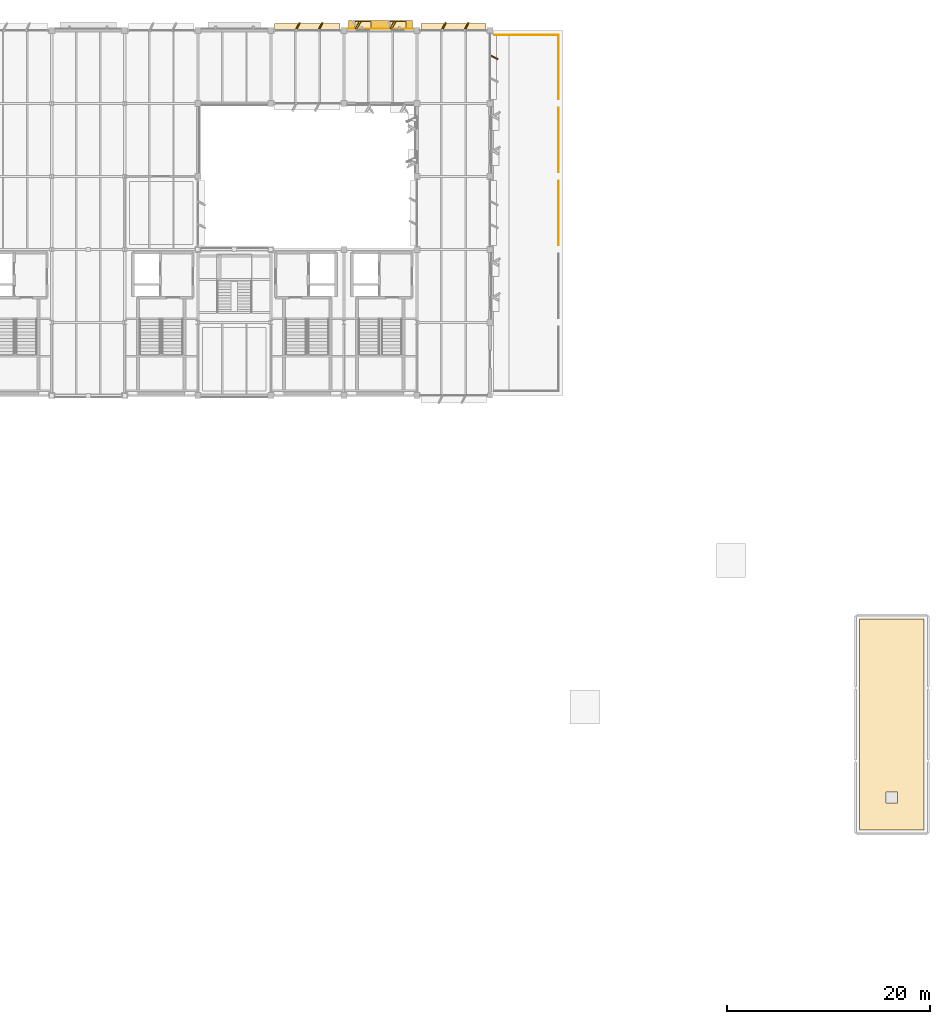
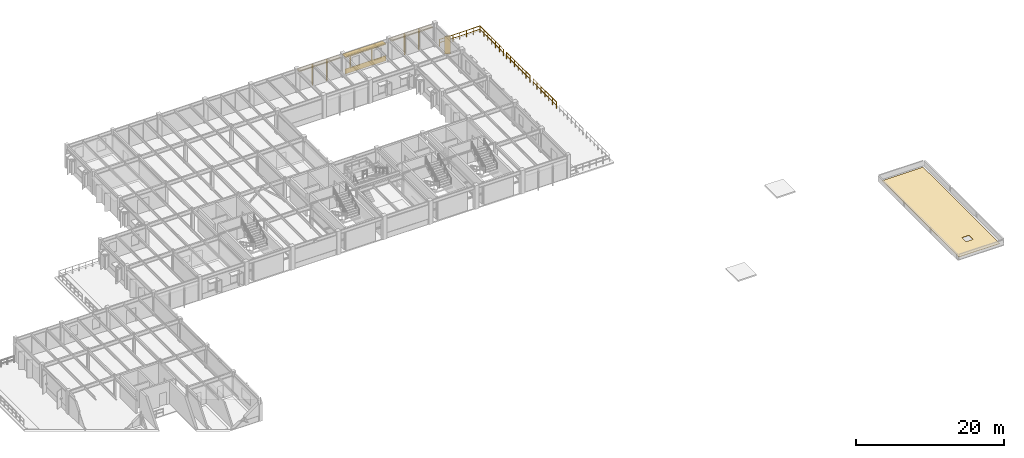
# One storey, part 35 of 35: 13 coverings, 4 railings, 1 shading device.
"""IFC4 building model written with IfcOpenShell, lengths in metres."""

from ifc_helpers import new_model, si_unit, direction, frame, frame_2d, origin, origin_2d, place, context, subcontext, project, spatial, polyline, rectangle, circle, outline, extrude, material, layer, layer_set, type_object, element, save


model = new_model("IFC4")

# Units and contexts
model_context = context("Model", 3, precision=1e-05, world=origin(), true_north=direction((0.0, 1.0)))
body_context = subcontext(model_context, "Body", "Model", "MODEL_VIEW")
ifc_project = project(units=[si_unit("LENGTHUNIT", "METRE"), si_unit("AREAUNIT", "SQUARE_METRE"), si_unit("VOLUMEUNIT", "CUBIC_METRE"), si_unit("PLANEANGLEUNIT", "RADIAN"), si_unit("MASSUNIT", "GRAM", prefix="KILO")], contexts=[model_context])

# Site, building, storey
site_placement = place(None, origin())
site = spatial("IfcSite", under=ifc_project, at=site_placement, CompositionType="ELEMENT")
building_placement = place(site_placement, origin())
building = spatial("IfcBuilding", under=site, at=building_placement, Name="Sillqori Civic Hall", CompositionType="ELEMENT")
storey_placement = place(building_placement, frame((0.0, 0.0, 18.0)))
storey = spatial("IfcBuildingStorey", under=building, at=storey_placement, Name="L05", CompositionType="ELEMENT", Elevation=18.0)

# Coverings
ifc_material_1 = material(Name="Cochabamba Honed Limestone Cladding", Category="masonry")
ifc_layer_1 = layer(ifc_material_1, 0.044921875)
ifc_layer_set_1 = layer_set([ifc_layer_1], Name="Cochabamba Honed Limestone Cladding")
covering_type_1 = type_object("IfcCoveringType", Name="COV-CLAD-LIME", PredefinedType="CLADDING", material=ifc_layer_set_1)
covering_1_placement = place(storey_placement, frame((79.580078125, 115.52001953125, 3.011962890625), z_axis=(0.0, 0.0, 1.0), x_axis=(1.0, 0.0, 0.0)))
element("IfcCovering", 1, at=covering_1_placement, inside=storey, type_object=covering_type_1, Name="L05 curtain-wall limestone solar hood L05-11-15-N", PredefinedType="CLADDING", context=body_context, shape_type="SweptSolid", body=[
    extrude(rectangle(XDim=6.43994140625, YDim=0.679931640625, at=frame_2d((3.219970703125, 0.0))), origin(), (0.0, 0.0, 1.0), 0.179931640625),
])
for number, where, z_axis, x_axis, name in (
    (2, (81.677978515625, 115.25, 0.06005859375), (0.0, 0.0, 1.0), (0.447334902547, 0.894366527193, 0.0), "L05 curtain-wall angled stone fin L05-11-15-N.1"),
    (3, (83.922119140625, 115.25, 0.06005859375), (0.0, 0.0, 1.0), (0.44709226377, 0.894487846579, 0.0), "L05 curtain-wall angled stone fin L05-11-15-N.2"),
):
    element("IfcCovering", number, at=place(storey_placement, frame(where, z_axis=z_axis, x_axis=x_axis)), inside=storey, type_object=covering_type_1, Name=name, PredefinedType="CLADDING", context=body_context, shape_type="SweptSolid", body=[
        extrude(rectangle(XDim=0.804931640625, YDim=0.139892578125, at=frame_2d((0.40234375, 0.0))), origin(), (0.0, 0.0, 1.0), 2.951904296875),
    ])
covering_2_placement = place(storey_placement, frame((86.780029296875, 115.360107421875, 0.0400390625), z_axis=(0.0, 0.0, 1.0), x_axis=(1.0, 0.0, 0.0)))
element("IfcCovering", 4, at=covering_2_placement, inside=storey, type_object=covering_type_1, Name="L05 limestone spandrel cladding L05-12-15-N", PredefinedType="CLADDING", context=body_context, shape_type="SweptSolid", body=[
    extrude(rectangle(XDim=6.43994140625, YDim=0.044921875, at=frame_2d((3.219970703125, 0.0))), origin(), (0.0, 0.0, 1.0), 0.85986328125),
])
covering_3_placement = place(storey_placement, frame((87.56396484375, 115.320068359375, 0.830078125), z_axis=(0.0, 0.0, 1.0), x_axis=(0.500062241894, 0.865989465428, 0.0)))
element("IfcCovering", 5, at=covering_3_placement, inside=storey, type_object=covering_type_1, Name="Sawtooth limestone angled reveal cheek L05-12-15-N.1", PredefinedType="CLADDING", context=body_context, shape_type="SweptSolid", body=[
    extrude(rectangle(XDim=0.85009765625, YDim=0.179931640625, at=frame_2d((0.425048828125, 0.0))), origin(), (0.0, 0.0, 1.0), 2.0),
])
covering_4_placement = place(storey_placement, frame((87.50390625, 115.699951171875, 2.68994140625), z_axis=(0.0, 0.0, 1.0), x_axis=(1.0, 0.0, 0.0)))
element("IfcCovering", 6, at=covering_4_placement, inside=storey, type_object=covering_type_1, Name="Sawtooth limestone window hood L05-12-15-N.1", PredefinedType="CLADDING", context=body_context, shape_type="SweptSolid", body=[
    extrude(rectangle(XDim=1.56005859375, YDim=0.780029296875, at=frame_2d((0.780029296875, 0.0))), origin(), (0.0, 0.0, 1.0), 0.14013671875),
])
covering_5_placement = place(storey_placement, frame((90.99609375, 115.320068359375, 0.830078125), z_axis=(0.0, 0.0, 1.0), x_axis=(0.499846793097, 0.866113839764, 0.0)))
element("IfcCovering", 7, at=covering_5_placement, inside=storey, type_object=covering_type_1, Name="Sawtooth limestone angled reveal cheek L05-12-15-N.2", PredefinedType="CLADDING", context=body_context, shape_type="SweptSolid", body=[
    extrude(rectangle(XDim=0.849853515625, YDim=0.179931640625, at=frame_2d((0.4248046875, 0.0))), origin(), (0.0, 0.0, 1.0), 2.0),
])
covering_6_placement = place(storey_placement, frame((90.93603515625, 115.699951171875, 2.68994140625), z_axis=(0.0, 0.0, 1.0), x_axis=(1.0, 0.0, 0.0)))
element("IfcCovering", 8, at=covering_6_placement, inside=storey, type_object=covering_type_1, Name="Sawtooth limestone window hood L05-12-15-N.2", PredefinedType="CLADDING", context=body_context, shape_type="SweptSolid", body=[
    extrude(rectangle(XDim=1.56005859375, YDim=0.780029296875, at=frame_2d((0.780029296875, 0.0))), origin(), (0.0, 0.0, 1.0), 0.14013671875),
])
covering_7_placement = place(storey_placement, frame((93.97998046875, 115.52001953125, 3.011962890625), z_axis=(0.0, 0.0, 1.0), x_axis=(1.0, 0.0, 0.0)))
element("IfcCovering", 9, at=covering_7_placement, inside=storey, type_object=covering_type_1, Name="L05 curtain-wall limestone solar hood L05-13-15-N", PredefinedType="CLADDING", context=body_context, shape_type="SweptSolid", body=[
    extrude(rectangle(XDim=6.43994140625, YDim=0.679931640625, at=frame_2d((3.219970703125, 0.0))), origin(), (0.0, 0.0, 1.0), 0.179931640625),
])
for number, where, z_axis, x_axis, name in (
    (10, (96.077880859375, 115.25, 0.06005859375), (0.0, 0.0, 1.0), (0.447334902547, 0.894366527193, 0.0), "L05 curtain-wall angled stone fin L05-13-15-N.1"),
    (11, (98.322021484375, 115.25, 0.06005859375), (0.0, 0.0, 1.0), (0.44709226377, 0.894487846579, 0.0), "L05 curtain-wall angled stone fin L05-13-15-N.2"),
    (12, (100.85009765625, 112.721923828125, 0.06005859375), (0.0, 0.0, 1.0), (0.894487846579, -0.44709226377, 0.0), "L05 curtain-wall angled stone fin L05-13-15-E.1"),
):
    element("IfcCovering", number, at=place(storey_placement, frame(where, z_axis=z_axis, x_axis=x_axis)), inside=storey, type_object=covering_type_1, Name=name, PredefinedType="CLADDING", context=body_context, shape_type="SweptSolid", body=[
        extrude(rectangle(XDim=0.804931640625, YDim=0.139892578125, at=frame_2d((0.40234375, 0.0))), origin(), (0.0, 0.0, 1.0), 2.951904296875),
    ])
ifc_material_2 = material(Name="Insulated Standing-Seam Solar Roof Membrane", Category="membrane")
ifc_layer_2 = layer(ifc_material_2, 0.054931640625)
ifc_layer_set_2 = layer_set([ifc_layer_2], Name="Insulated Standing-Seam Solar Roof Membrane")
covering_type_2 = type_object("IfcCoveringType", Name="COV-ROOF-TPO", PredefinedType="ROOFING", material=ifc_layer_set_2)
covering_8_placement = place(storey_placement, origin())
element("IfcCovering", 13, at=covering_8_placement, inside=storey, type_object=covering_type_2, Name="L05 insulated TPO roof membrane ROOF-FLAT-L04-1", PredefinedType="ROOFING", context=body_context, shape_type="SweptSolid", body=[
    extrude(outline(polyline([(137.199951171875, 36.39990234375), (143.60009765625, 36.39990234375), (143.60009765625, 57.199951171875), (137.199951171875, 57.199951171875), (137.199951171875, 36.39990234375)]), holes=[polyline([(139.85009765625, 39.050048828125), (139.85009765625, 40.14990234375), (140.949951171875, 40.14990234375), (140.949951171875, 39.050048828125), (139.85009765625, 39.050048828125)])]), origin(), (0.0, 0.0, 1.0), 0.054931640625),
])

# Railings
ifc_material_3 = material(Name="Stainless Steel 316 and Laminated Balustrade", Category="steel")
ifc_layer_3 = layer(ifc_material_3, 0.06005859375)
ifc_layer_set_3 = layer_set([ifc_layer_3], Name="Stainless Steel 316 and Laminated Balustrade")
railing_type = type_object("IfcRailingType", Name="RLG-TERR-112", PredefinedType="GUARDRAIL", material=ifc_layer_set_3)
railing_placement = place(storey_placement, frame((101.239990234375, 114.760009765625, 0.0)))
element("IfcRailing", 14, at=railing_placement, inside=storey, type_object=railing_type, Name="Finance East Roof Garden perimeter guard N-02", PredefinedType="GUARDRAIL", context=body_context, shape_type="SweptSolid", body=[
    extrude(circle(Radius=0.02392578125, at=origin_2d()), frame((0.0, 0.0, 1.09619140625), z_axis=(1.0, 0.0, 0.0), x_axis=(0.0, 1.0, 0.0)), (0.0, 0.0, 1.0), 6.320068359375),
    extrude(circle(Radius=0.02392578125, at=origin_2d()), frame((0.0, 0.0, 0.56005859375), z_axis=(1.0, 0.0, 0.0), x_axis=(0.0, 1.0, 0.0)), (0.0, 0.0, 1.0), 6.320068359375),
    extrude(circle(Radius=0.02099609375, at=origin_2d()), origin(), (0.0, 0.0, 1.0), 1.072021484375),
    extrude(circle(Radius=0.02099609375, at=origin_2d()), frame((1.05322265625, 0.0, 0.0)), (0.0, 0.0, 1.0), 1.072021484375),
    extrude(circle(Radius=0.02099609375, at=origin_2d()), frame((2.106689453125, 0.0, 0.0)), (0.0, 0.0, 1.0), 1.072021484375),
    extrude(circle(Radius=0.02099609375, at=origin_2d()), frame((3.16015625, 0.0, 0.0)), (0.0, 0.0, 1.0), 1.072021484375),
    extrude(circle(Radius=0.02099609375, at=origin_2d()), frame((4.21337890625, 0.0, 0.0)), (0.0, 0.0, 1.0), 1.072021484375),
    extrude(circle(Radius=0.02099609375, at=origin_2d()), frame((5.2666015625, 0.0, 0.0)), (0.0, 0.0, 1.0), 1.072021484375),
    extrude(circle(Radius=0.02099609375, at=origin_2d()), frame((6.320068359375, 0.0, 0.0)), (0.0, 0.0, 1.0), 1.072021484375),
])
for number, where, name in (
    (15, (107.56005859375, 94.0400390625, 0.0), "Finance East Roof Garden perimeter guard E-05"),
    (16, (107.56005859375, 101.239990234375, 0.0), "Finance East Roof Garden perimeter guard E-06"),
    (17, (107.56005859375, 108.43994140625, 0.0), "Finance East Roof Garden perimeter guard E-07"),
):
    element("IfcRailing", number, at=place(storey_placement, frame(where)), inside=storey, type_object=railing_type, Name=name, PredefinedType="GUARDRAIL", context=body_context, shape_type="SweptSolid", body=[
        extrude(circle(Radius=0.02392578125, at=origin_2d()), frame((0.0, 0.0, 1.09619140625), z_axis=(0.0, 1.0, 0.0), x_axis=(-1.0, 0.0, 0.0)), (0.0, 0.0, 1.0), 6.320068359375),
        extrude(circle(Radius=0.02392578125, at=origin_2d()), frame((0.0, 0.0, 0.56005859375), z_axis=(0.0, 1.0, 0.0), x_axis=(-1.0, 0.0, 0.0)), (0.0, 0.0, 1.0), 6.320068359375),
        extrude(circle(Radius=0.02099609375, at=origin_2d()), origin(), (0.0, 0.0, 1.0), 1.072021484375),
        extrude(circle(Radius=0.02099609375, at=origin_2d()), frame((0.0, 1.05322265625, 0.0)), (0.0, 0.0, 1.0), 1.072021484375),
        extrude(circle(Radius=0.02099609375, at=origin_2d()), frame((0.0, 2.106689453125, 0.0)), (0.0, 0.0, 1.0), 1.072021484375),
        extrude(circle(Radius=0.02099609375, at=origin_2d()), frame((0.0, 3.16015625, 0.0)), (0.0, 0.0, 1.0), 1.072021484375),
        extrude(circle(Radius=0.02099609375, at=origin_2d()), frame((0.0, 4.21337890625, 0.0)), (0.0, 0.0, 1.0), 1.072021484375),
        extrude(circle(Radius=0.02099609375, at=origin_2d()), frame((0.0, 5.2666015625, 0.0)), (0.0, 0.0, 1.0), 1.072021484375),
        extrude(circle(Radius=0.02099609375, at=origin_2d()), frame((0.0, 6.320068359375, 0.0)), (0.0, 0.0, 1.0), 1.072021484375),
    ])

# Shading device
ifc_material_4 = material(Name="Anodized Aluminium Solar Control Louvre", Category="aluminium")
shading_device_type = type_object("IfcShadingDeviceType", Name="SHD-HOOD-640", PredefinedType="JALOUSIE", material=ifc_material_4)
shading_device_placement = place(storey_placement, frame((90.0, 115.75, 2.72021484375), z_axis=(0.0, 0.0, 1.0), x_axis=(1.0, 0.0, 0.0)))
element("IfcShadingDevice", 18, at=shading_device_placement, inside=storey, type_object=shading_device_type, Name="L05 north solar hood L05-12-15-N", PredefinedType="JALOUSIE", context=body_context, shape_type="SweptSolid", body=[
    extrude(rectangle(XDim=6.300048828125, YDim=0.85009765625, at=origin_2d()), origin(), (0.0, 0.0, 1.0), 0.139892578125),
])

save(model, "model.ifc")
